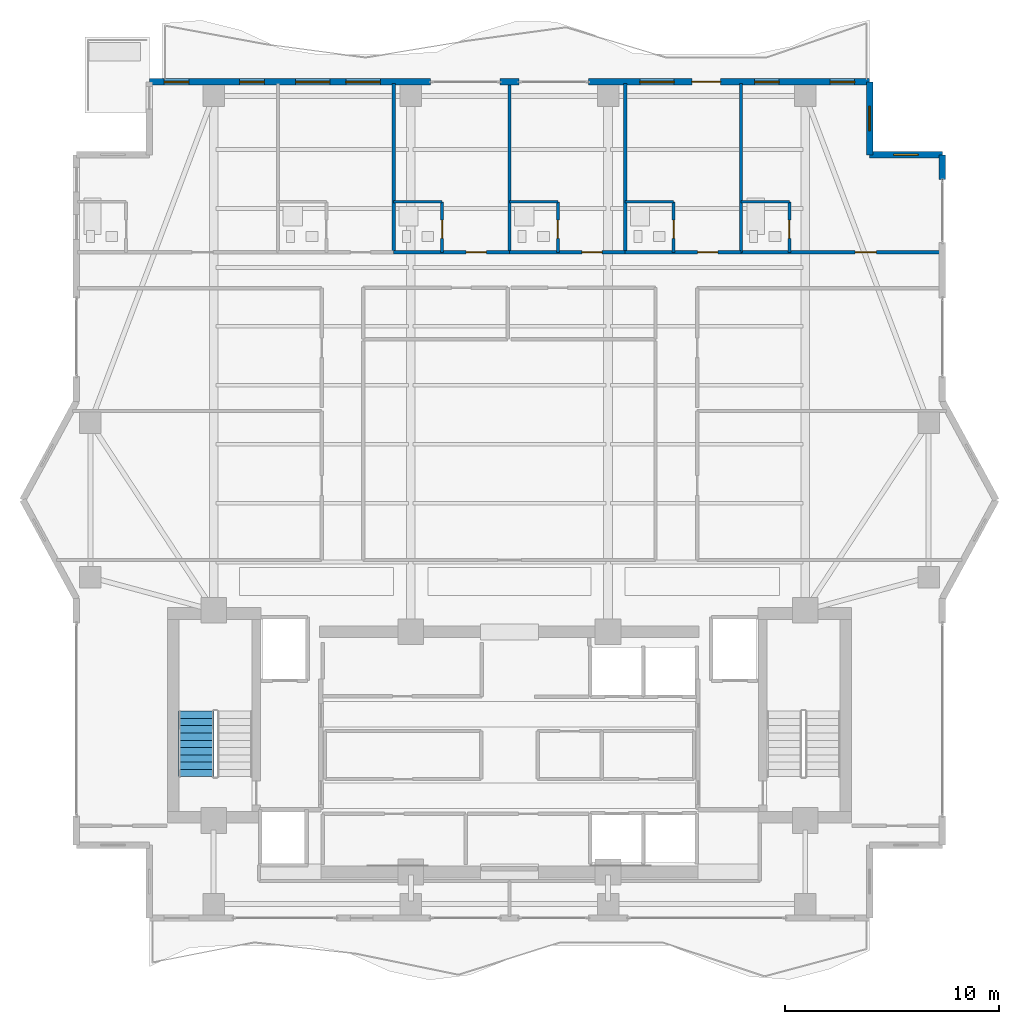
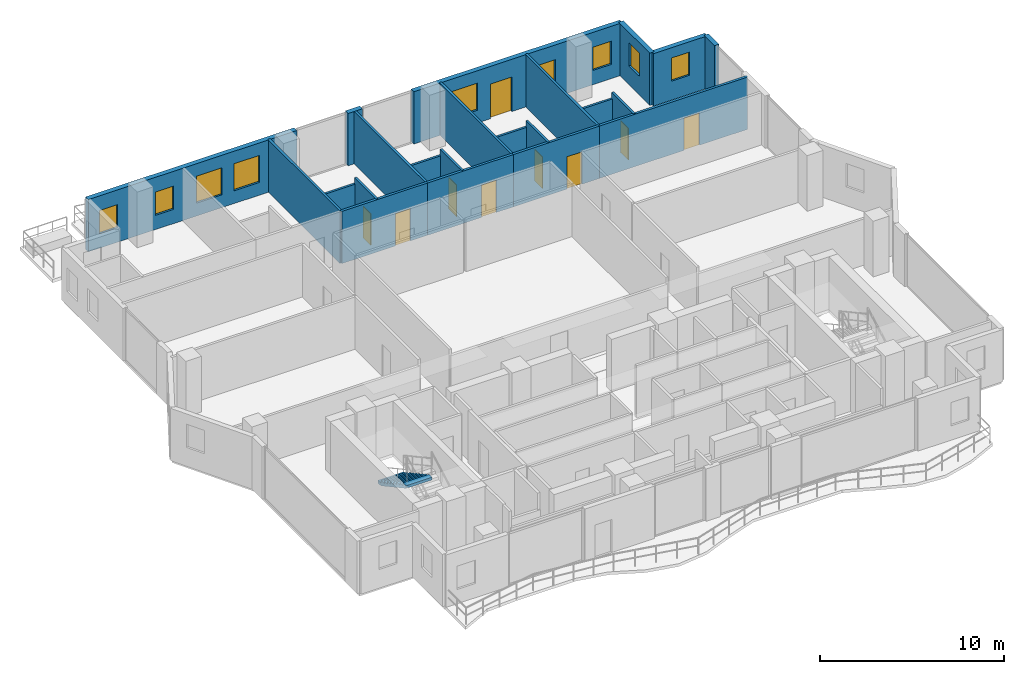
# One storey, part 20 of 24: 22 walls, 9 doors, 9 windows, 1 stair flight, 18 openings, 1 element without a shape of its own.
"""IFC4 building model written with IfcOpenShell, lengths in metres."""

from ifc_helpers import new_model, si_unit, direction, frame, frame_2d, origin, place, context, subcontext, project, spatial, polyline, rectangle, outline, extrude, material, layer, layer_set, type_object, element, fill, aggregate, save


model = new_model("IFC4")

# Units and contexts
model_context = context("Model", 3, precision=1e-05, world=origin(), true_north=direction((0.0, 1.0)))
body_context = subcontext(model_context, "Body", "Model", "MODEL_VIEW")
ifc_project = project(units=[si_unit("LENGTHUNIT", "METRE"), si_unit("AREAUNIT", "SQUARE_METRE"), si_unit("VOLUMEUNIT", "CUBIC_METRE"), si_unit("PLANEANGLEUNIT", "RADIAN"), si_unit("MASSUNIT", "GRAM", prefix="KILO")], contexts=[model_context])

# Site, building, storey
site_placement = place(None, origin())
site = spatial("IfcSite", under=ifc_project, at=site_placement, CompositionType="ELEMENT")
building_placement = place(site_placement, origin())
building = spatial("IfcBuilding", under=site, at=building_placement, Name="Zuhayl Quay Hotel", CompositionType="ELEMENT")
storey_placement = place(building_placement, frame((0.0, 0.0, 276.64990234375)))
storey = spatial("IfcBuildingStorey", under=building, at=storey_placement, Name="L70", CompositionType="ELEMENT", Elevation=276.64990234375)

# Wall, openings, windows
ifc_material_1 = material(Name="Precast concrete C45/55", Category="concrete")
ifc_layer_1 = layer(ifc_material_1, 0.300048828125, Name="Precast concrete C45/55", Category="concrete")
ifc_layer_set_1 = layer_set([ifc_layer_1], Name="Precast concrete C45/55")
wall_type_1 = type_object("IfcWallType", Name="WL_EXT_300", PredefinedType="STANDARD", material=ifc_layer_set_1)
wall_1_placement = place(storey_placement, frame((-16.800048828125, 39.0, 0.0), z_axis=(0.0, 0.0, 1.0), x_axis=(1.0, 0.0, 0.0)))
wall_1 = element("IfcWall", 1, at=wall_1_placement, inside=storey, type_object=wall_type_1, Name="L70 Exterior Precast Wall ENV_L70_N_EW1", PredefinedType="STANDARD", context=body_context, shape_type="SweptSolid", body=[
    extrude(rectangle(XDim=13.1201171875, YDim=0.300048828125, at=frame_2d((6.56005859375, 0.0))), origin(), (0.0, 0.0, 1.0), 3.47998046875),
])
opening_1_placement = place(wall_1_placement, frame((6.820068359375, 0.0, 0.85009765625)))
opening_1 = element("IfcOpeningElement", 2, at=opening_1_placement, cuts=wall_1, Name="Opening W01", PredefinedType="OPENING", context=body_context, shape_type="SweptSolid", body=[
    extrude(rectangle(XDim=1.60009765625, YDim=1.800048828125, at=frame_2d((0.800048828125, 0.89990234375))), frame((0.0, 0.159912109375, 0.0), z_axis=(0.0, -1.0, 0.0), x_axis=(1.0, 0.0, 0.0)), (0.0, 0.0, 1.0), 0.320068359375),
])
opening_2_placement = place(wall_1_placement, frame((0.695068359375, 0.0, 0.949951171875)))
opening_2 = element("IfcOpeningElement", 3, at=opening_2_placement, cuts=wall_1, Name="Opening W01N", PredefinedType="OPENING", context=body_context, shape_type="SweptSolid", body=[
    extrude(rectangle(XDim=1.14990234375, YDim=1.550048828125, at=frame_2d((0.574951171875, 0.77490234375))), frame((0.0, 0.159912109375, 0.0), z_axis=(0.0, -1.0, 0.0), x_axis=(1.0, 0.0, 0.0)), (0.0, 0.0, 1.0), 0.320068359375),
])
opening_3_placement = place(wall_1_placement, frame((4.215087890625, 0.0, 0.949951171875)))
opening_3 = element("IfcOpeningElement", 4, at=opening_3_placement, cuts=wall_1, Name="Opening W01N", PredefinedType="OPENING", context=body_context, shape_type="SweptSolid", body=[
    extrude(rectangle(XDim=1.14990234375, YDim=1.550048828125, at=frame_2d((0.574951171875, 0.77490234375))), frame((0.0, 0.159912109375, 0.0), z_axis=(0.0, -1.0, 0.0), x_axis=(1.0, 0.0, 0.0)), (0.0, 0.0, 1.0), 0.320068359375),
])
opening_4_placement = place(wall_1_placement, frame((9.175048828125, 0.0, 0.85009765625)))
opening_4 = element("IfcOpeningElement", 5, at=opening_4_placement, cuts=wall_1, Name="Opening W01", PredefinedType="OPENING", context=body_context, shape_type="SweptSolid", body=[
    extrude(rectangle(XDim=1.60009765625, YDim=1.800048828125, at=frame_2d((0.800048828125, 0.89990234375))), frame((0.0, 0.159912109375, 0.0), z_axis=(0.0, -1.0, 0.0), x_axis=(1.0, 0.0, 0.0)), (0.0, 0.0, 1.0), 0.320068359375),
])
ifc_material_2 = material(Name="Dark Ceramic-Fritted Solar Glass", Category="glass")
window_type_1 = type_object("IfcWindowType", Name="WN_NOTCH_1350", PartitioningType="SINGLE_PANEL", PredefinedType="WINDOW", material=ifc_material_2)
window_1_placement = place(opening_2_placement, origin())
window_1 = element("IfcWindow", 6, at=window_1_placement, inside=storey, type_object=window_type_1, Name="L70 Operable Facade Window 1-1", OverallHeight=1.550048828125, OverallWidth=1.14990234375, PartitioningType="SINGLE_PANEL", PredefinedType="WINDOW", context=body_context, shape_type="SweptSolid", body=[
    extrude(rectangle(XDim=1.14990234375, YDim=1.550048828125, at=frame_2d((0.574951171875, 0.77490234375))), frame((0.0, 0.030029296875, 0.0), z_axis=(0.0, -1.0, 0.0), x_axis=(1.0, 0.0, 0.0)), (0.0, 0.0, 1.0), 0.06005859375),
])
fill(opening_2, window_1)
window_2_placement = place(opening_3_placement, origin())
window_2 = element("IfcWindow", 7, at=window_2_placement, inside=storey, type_object=window_type_1, Name="L70 Operable Facade Window 1-2", OverallHeight=1.550048828125, OverallWidth=1.14990234375, PartitioningType="SINGLE_PANEL", PredefinedType="WINDOW", context=body_context, shape_type="SweptSolid", body=[
    extrude(rectangle(XDim=1.14990234375, YDim=1.550048828125, at=frame_2d((0.574951171875, 0.77490234375))), frame((0.0, 0.030029296875, 0.0), z_axis=(0.0, -1.0, 0.0), x_axis=(1.0, 0.0, 0.0)), (0.0, 0.0, 1.0), 0.06005859375),
])
fill(opening_3, window_2)
window_type_2 = type_object("IfcWindowType", Name="WN_OPERABLE_1600", PartitioningType="DOUBLE_PANEL_VERTICAL", PredefinedType="WINDOW", material=ifc_material_2)
window_3_placement = place(opening_1_placement, origin())
window_3 = element("IfcWindow", 8, at=window_3_placement, inside=storey, type_object=window_type_2, Name="L70 North Operable Casement Window", OverallHeight=1.800048828125, OverallWidth=1.60009765625, PartitioningType="SINGLE_PANEL", PredefinedType="WINDOW", context=body_context, shape_type="SweptSolid", body=[
    extrude(rectangle(XDim=1.60009765625, YDim=1.800048828125, at=frame_2d((0.800048828125, 0.89990234375))), frame((0.0, 0.030029296875, 0.0), z_axis=(0.0, -1.0, 0.0), x_axis=(1.0, 0.0, 0.0)), (0.0, 0.0, 1.0), 0.06005859375),
])
fill(opening_1, window_3)
window_4_placement = place(opening_4_placement, origin())
window_4 = element("IfcWindow", 9, at=window_4_placement, inside=storey, type_object=window_type_2, Name="L70 Operable Facade Window 1-3", OverallHeight=1.800048828125, OverallWidth=1.60009765625, PartitioningType="SINGLE_PANEL", PredefinedType="WINDOW", context=body_context, shape_type="SweptSolid", body=[
    extrude(rectangle(XDim=1.60009765625, YDim=1.800048828125, at=frame_2d((0.800048828125, 0.89990234375))), frame((0.0, 0.030029296875, 0.0), z_axis=(0.0, -1.0, 0.0), x_axis=(1.0, 0.0, 0.0)), (0.0, 0.0, 1.0), 0.06005859375),
])
fill(opening_4, window_4)

# Wall
wall_2_placement = place(storey_placement, frame((-0.449951171875, 39.0, 0.0), z_axis=(0.0, 0.0, 1.0), x_axis=(1.0, 0.0, 0.0)))
element("IfcWall", 10, at=wall_2_placement, inside=storey, type_object=wall_type_1, Name="L70 Exterior Precast Wall ENV_L70_N_EW2", PredefinedType="STANDARD", context=body_context, shape_type="SweptSolid", body=[
    extrude(rectangle(XDim=0.89990234375, YDim=0.300048828125, at=frame_2d((0.449951171875, 0.0))), origin(), (0.0, 0.0, 1.0), 3.47998046875),
])

# Wall, openings, door, windows
wall_3_placement = place(storey_placement, frame((3.679931640625, 39.0, 0.0), z_axis=(0.0, 0.0, 1.0), x_axis=(1.0, 0.0, 0.0)))
wall_3 = element("IfcWall", 11, at=wall_3_placement, inside=storey, type_object=wall_type_1, Name="L70 Exterior Precast Wall ENV_L70_N_EW3", PredefinedType="STANDARD", context=body_context, shape_type="SweptSolid", body=[
    extrude(rectangle(XDim=13.1201171875, YDim=0.300048828125, at=frame_2d((6.56005859375, 0.0))), origin(), (0.0, 0.0, 1.0), 3.47998046875),
])
opening_5_placement = place(wall_3_placement, frame((4.824951171875, 0.0, 0.0)))
opening_5 = element("IfcOpeningElement", 12, at=opening_5_placement, cuts=wall_3, Name="Opening DG2", PredefinedType="OPENING", context=body_context, shape_type="SweptSolid", body=[
    extrude(rectangle(XDim=1.35009765625, YDim=2.300048828125, at=frame_2d((0.675048828125, 1.14990234375))), frame((0.0, 0.159912109375, 0.0), z_axis=(0.0, -1.0, 0.0), x_axis=(1.0, 0.0, 0.0)), (0.0, 0.0, 1.0), 0.320068359375),
])
opening_6_placement = place(wall_3_placement, frame((2.407470703125, 0.0, 0.85009765625)))
opening_6 = element("IfcOpeningElement", 13, at=opening_6_placement, cuts=wall_3, Name="Opening W01", PredefinedType="OPENING", context=body_context, shape_type="SweptSolid", body=[
    extrude(rectangle(XDim=1.60009765625, YDim=1.800048828125, at=frame_2d((0.800048828125, 0.89990234375))), frame((0.0, 0.159912109375, 0.0), z_axis=(0.0, -1.0, 0.0), x_axis=(1.0, 0.0, 0.0)), (0.0, 0.0, 1.0), 0.320068359375),
])
opening_7_placement = place(wall_3_placement, frame((7.7548828125, 0.0, 0.949951171875)))
opening_7 = element("IfcOpeningElement", 14, at=opening_7_placement, cuts=wall_3, Name="Opening W01N", PredefinedType="OPENING", context=body_context, shape_type="SweptSolid", body=[
    extrude(rectangle(XDim=1.14990234375, YDim=1.550048828125, at=frame_2d((0.574951171875, 0.77490234375))), frame((0.0, 0.159912109375, 0.0), z_axis=(0.0, -1.0, 0.0), x_axis=(1.0, 0.0, 0.0)), (0.0, 0.0, 1.0), 0.320068359375),
])
opening_8_placement = place(wall_3_placement, frame((11.27490234375, 0.0, 0.949951171875)))
opening_8 = element("IfcOpeningElement", 15, at=opening_8_placement, cuts=wall_3, Name="Opening W01N", PredefinedType="OPENING", context=body_context, shape_type="SweptSolid", body=[
    extrude(rectangle(XDim=1.14990234375, YDim=1.550048828125, at=frame_2d((0.574951171875, 0.77490234375))), frame((0.0, 0.159912109375, 0.0), z_axis=(0.0, -1.0, 0.0), x_axis=(1.0, 0.0, 0.0)), (0.0, 0.0, 1.0), 0.320068359375),
])
ifc_material_3 = material(Name="Anodised Aluminium and Dark Solar Glass", Category="aluminium")
door_type_1 = type_object("IfcDoorType", Name="DR_EXT_TERR_1350", OperationType="NOTDEFINED", PredefinedType="DOOR", material=ifc_material_3)
door_1_placement = place(opening_5_placement, origin())
door_1 = element("IfcDoor", 16, at=door_1_placement, inside=storey, type_object=door_type_1, Name="L70 North Rippling Balcony Door", OperationType="SINGLE_SWING_LEFT", OverallHeight=2.300048828125, OverallWidth=1.35009765625, PredefinedType="DOOR", context=body_context, shape_type="SweptSolid", body=[
    extrude(rectangle(XDim=1.35009765625, YDim=2.300048828125, at=frame_2d((0.675048828125, 1.14990234375))), frame((0.0, 0.02490234375, 0.0), z_axis=(0.0, -1.0, 0.0), x_axis=(1.0, 0.0, 0.0)), (0.0, 0.0, 1.0), 0.050048828125),
])
fill(opening_5, door_1)
window_5_placement = place(opening_7_placement, origin())
window_5 = element("IfcWindow", 17, at=window_5_placement, inside=storey, type_object=window_type_1, Name="L70 Operable Facade Window 3-2", OverallHeight=1.550048828125, OverallWidth=1.14990234375, PartitioningType="SINGLE_PANEL", PredefinedType="WINDOW", context=body_context, shape_type="SweptSolid", body=[
    extrude(rectangle(XDim=1.14990234375, YDim=1.550048828125, at=frame_2d((0.574951171875, 0.77490234375))), frame((0.0, 0.030029296875, 0.0), z_axis=(0.0, -1.0, 0.0), x_axis=(1.0, 0.0, 0.0)), (0.0, 0.0, 1.0), 0.06005859375),
])
fill(opening_7, window_5)
window_6_placement = place(opening_8_placement, origin())
window_6 = element("IfcWindow", 18, at=window_6_placement, inside=storey, type_object=window_type_1, Name="L70 Operable Facade Window 3-3", OverallHeight=1.550048828125, OverallWidth=1.14990234375, PartitioningType="SINGLE_PANEL", PredefinedType="WINDOW", context=body_context, shape_type="SweptSolid", body=[
    extrude(rectangle(XDim=1.14990234375, YDim=1.550048828125, at=frame_2d((0.574951171875, 0.77490234375))), frame((0.0, 0.030029296875, 0.0), z_axis=(0.0, -1.0, 0.0), x_axis=(1.0, 0.0, 0.0)), (0.0, 0.0, 1.0), 0.06005859375),
])
fill(opening_8, window_6)
window_7_placement = place(opening_6_placement, origin())
window_7 = element("IfcWindow", 19, at=window_7_placement, inside=storey, type_object=window_type_2, Name="L70 Operable Facade Window 3-1", OverallHeight=1.800048828125, OverallWidth=1.60009765625, PartitioningType="SINGLE_PANEL", PredefinedType="WINDOW", context=body_context, shape_type="SweptSolid", body=[
    extrude(rectangle(XDim=1.60009765625, YDim=1.800048828125, at=frame_2d((0.800048828125, 0.89990234375))), frame((0.0, 0.030029296875, 0.0), z_axis=(0.0, -1.0, 0.0), x_axis=(1.0, 0.0, 0.0)), (0.0, 0.0, 1.0), 0.06005859375),
])
fill(opening_6, window_7)

# Wall, opening, window
wall_4_placement = place(storey_placement, frame((16.800048828125, 39.0, 0.0), z_axis=(0.0, 0.0, 1.0), x_axis=(0.0, -1.0, 0.0)))
wall_4 = element("IfcWall", 20, at=wall_4_placement, inside=storey, type_object=wall_type_1, Name="L70 Exterior Precast Wall ENV_L70_EW09", PredefinedType="STANDARD", context=body_context, shape_type="SweptSolid", body=[
    extrude(rectangle(XDim=3.39990234375, YDim=0.300048828125, at=frame_2d((1.699951171875, 0.0))), origin(), (0.0, 0.0, 1.0), 3.47998046875),
])
opening_9_placement = place(wall_4_placement, frame((1.125, 0.0, 1.25)))
opening_9 = element("IfcOpeningElement", 21, at=opening_9_placement, cuts=wall_4, Name="Opening W01N", PredefinedType="OPENING", context=body_context, shape_type="SweptSolid", body=[
    extrude(rectangle(XDim=1.14990234375, YDim=1.550048828125, at=frame_2d((0.574951171875, 0.77490234375))), frame((0.0, 0.159912109375, 0.0), z_axis=(0.0, -1.0, 0.0), x_axis=(1.0, 0.0, 0.0)), (0.0, 0.0, 1.0), 0.320068359375),
])
window_8_placement = place(opening_9_placement, origin())
window_8 = element("IfcWindow", 22, at=window_8_placement, inside=storey, type_object=window_type_1, Name="L70 Corner Notch Window 9", OverallHeight=1.550048828125, OverallWidth=1.14990234375, PartitioningType="SINGLE_PANEL", PredefinedType="WINDOW", context=body_context, shape_type="SweptSolid", body=[
    extrude(rectangle(XDim=1.14990234375, YDim=1.550048828125, at=frame_2d((0.574951171875, 0.77490234375))), frame((0.0, 0.030029296875, 0.0), z_axis=(0.0, -1.0, 0.0), x_axis=(1.0, 0.0, 0.0)), (0.0, 0.0, 1.0), 0.06005859375),
])
fill(opening_9, window_8)

wall_5_placement = place(storey_placement, frame((16.800048828125, 35.60009765625, 0.0), z_axis=(0.0, 0.0, 1.0), x_axis=(1.0, 0.0, 0.0)))
wall_5 = element("IfcWall", 23, at=wall_5_placement, inside=storey, type_object=wall_type_1, Name="L70 Exterior Precast Wall ENV_L70_EW10", PredefinedType="STANDARD", context=body_context, shape_type="SweptSolid", body=[
    extrude(rectangle(XDim=3.39990234375, YDim=0.300048828125, at=frame_2d((1.699951171875, 0.0))), origin(), (0.0, 0.0, 1.0), 3.47998046875),
])
opening_10_placement = place(wall_5_placement, frame((1.125, 0.0, 1.25)))
opening_10 = element("IfcOpeningElement", 24, at=opening_10_placement, cuts=wall_5, Name="Opening W01N", PredefinedType="OPENING", context=body_context, shape_type="SweptSolid", body=[
    extrude(rectangle(XDim=1.14990234375, YDim=1.550048828125, at=frame_2d((0.574951171875, 0.77490234375))), frame((0.0, 0.159912109375, 0.0), z_axis=(0.0, -1.0, 0.0), x_axis=(1.0, 0.0, 0.0)), (0.0, 0.0, 1.0), 0.320068359375),
])
window_9_placement = place(opening_10_placement, origin())
window_9 = element("IfcWindow", 25, at=window_9_placement, inside=storey, type_object=window_type_1, Name="L70 Corner Notch Window 10", OverallHeight=1.550048828125, OverallWidth=1.14990234375, PartitioningType="SINGLE_PANEL", PredefinedType="WINDOW", context=body_context, shape_type="SweptSolid", body=[
    extrude(rectangle(XDim=1.14990234375, YDim=1.550048828125, at=frame_2d((0.574951171875, 0.77490234375))), frame((0.0, 0.030029296875, 0.0), z_axis=(0.0, -1.0, 0.0), x_axis=(1.0, 0.0, 0.0)), (0.0, 0.0, 1.0), 0.06005859375),
])
fill(opening_10, window_9)

# Walls
wall_6_placement = place(storey_placement, frame((20.199951171875, 35.60009765625, 0.0), z_axis=(0.0, 0.0, 1.0), x_axis=(0.0, -1.0, 0.0)))
element("IfcWall", 26, at=wall_6_placement, inside=storey, type_object=wall_type_1, Name="L70 Exterior Precast Wall ENV_L70_E11_EW1", PredefinedType="STANDARD", context=body_context, shape_type="SweptSolid", body=[
    extrude(rectangle(XDim=1.150146484375, YDim=0.300048828125, at=frame_2d((0.5751953125, 0.0))), origin(), (0.0, 0.0, 1.0), 3.47998046875),
])
ifc_material_4 = material(Name="Acoustic Gypsum Partition STC-58")
ifc_layer_2 = layer(ifc_material_4, 0.14990234375, Name="Acoustic Gypsum Partition STC-58")
ifc_layer_set_2 = layer_set([ifc_layer_2], Name="Acoustic Gypsum Partition STC-58")
wall_type_2 = type_object("IfcWallType", Name="WL_PART_150", PredefinedType="PARTITIONING", material=ifc_layer_set_2)
for number, where, z_axis, x_axis, name in (
    (27, (-5.39990234375, 31.050048828125, 0.0), (0.0, 0.0, 1.0), (0.0, 1.0, 0.0), "L70 Partition IW_L70_NU02_E"),
    (28, (0.0, 31.050048828125, 0.0), (0.0, 0.0, 1.0), (0.0, 1.0, 0.0), "L70 Partition IW_L70_NU03_E"),
    (29, (5.39990234375, 31.050048828125, 0.0), (0.0, 0.0, 1.0), (0.0, 1.0, 0.0), "L70 Partition IW_L70_NU04_E"),
    (30, (10.800048828125, 31.050048828125, 0.0), (0.0, 0.0, 1.0), (0.0, 1.0, 0.0), "L70 Partition IW_L70_NU05_E"),
):
    element("IfcWall", number, at=place(storey_placement, frame(where, z_axis=z_axis, x_axis=x_axis)), inside=storey, type_object=wall_type_2, Name=name, PredefinedType="PARTITIONING", context=body_context, shape_type="SweptSolid", body=[
        extrude(rectangle(XDim=7.869873046875, YDim=0.14990234375, at=frame_2d((3.93505859375, 0.0))), origin(), (0.0, 0.0, 1.0), 3.47998046875),
    ])

# Wall, opening, door
ifc_layer_3 = layer(ifc_material_4, 0.159912109375, Name="Acoustic Gypsum Partition STC-58")
ifc_layer_set_3 = layer_set([ifc_layer_3], Name="Acoustic Gypsum Partition STC-58")
wall_type_3 = type_object("IfcWallType", Name="WL_PART_CORR_160", PredefinedType="PARTITIONING", material=ifc_layer_set_3)
wall_7_placement = place(storey_placement, frame((-5.39990234375, 31.050048828125, 0.0), z_axis=(0.0, 0.0, 1.0), x_axis=(1.0, 0.0, 0.0)))
wall_7 = element("IfcWall", 31, at=wall_7_placement, inside=storey, type_object=wall_type_3, Name="L70 Partition IW_L70_NU03_COR", PredefinedType="PARTITIONING", context=body_context, shape_type="SweptSolid", body=[
    extrude(rectangle(XDim=5.39990234375, YDim=0.159912109375, at=frame_2d((2.699951171875, 0.0))), origin(), (0.0, 0.0, 1.0), 3.47998046875),
])
opening_11_placement = place(wall_7_placement, frame((3.375, 0.0, 0.0)))
opening_11 = element("IfcOpeningElement", 32, at=opening_11_placement, cuts=wall_7, Name="Opening D03", PredefinedType="OPENING", context=body_context, shape_type="SweptSolid", body=[
    extrude(rectangle(XDim=0.949951171875, YDim=2.14990234375, at=frame_2d((0.47509765625, 1.074951171875))), frame((0.0, 0.08984375, 0.0), z_axis=(0.0, -1.0, 0.0), x_axis=(1.0, 0.0, 0.0)), (0.0, 0.0, 1.0), 0.179931640625),
])
ifc_material_5 = material(Name="Solid Walnut Acoustic Fire Door")
door_type_2 = type_object("IfcDoorType", Name="DR_SUITE_950", OperationType="NOTDEFINED", PredefinedType="DOOR", material=ifc_material_5)
door_2_placement = place(opening_11_placement, origin())
door_2 = element("IfcDoor", 33, at=door_2_placement, inside=storey, type_object=door_type_2, Name="L70 Imperial Gulf Guest Room L70-03 Entrance Door", OperationType="SINGLE_SWING_RIGHT", OverallHeight=2.14990234375, OverallWidth=0.949951171875, PredefinedType="DOOR", context=body_context, shape_type="SweptSolid", body=[
    extrude(rectangle(XDim=0.949951171875, YDim=2.14990234375, at=frame_2d((0.47509765625, 1.074951171875))), frame((0.0, 0.02490234375, 0.0), z_axis=(0.0, -1.0, 0.0), x_axis=(1.0, 0.0, 0.0)), (0.0, 0.0, 1.0), 0.050048828125),
])
fill(opening_11, door_2)

wall_8_placement = place(storey_placement, frame((0.0, 31.050048828125, 0.0), z_axis=(0.0, 0.0, 1.0), x_axis=(1.0, 0.0, 0.0)))
wall_8 = element("IfcWall", 34, at=wall_8_placement, inside=storey, type_object=wall_type_3, Name="L70 Partition IW_L70_NU04_COR", PredefinedType="PARTITIONING", context=body_context, shape_type="SweptSolid", body=[
    extrude(rectangle(XDim=5.39990234375, YDim=0.159912109375, at=frame_2d((2.699951171875, 0.0))), origin(), (0.0, 0.0, 1.0), 3.47998046875),
])
opening_12_placement = place(wall_8_placement, frame((3.375, 0.0, 0.0)))
opening_12 = element("IfcOpeningElement", 35, at=opening_12_placement, cuts=wall_8, Name="Opening D03", PredefinedType="OPENING", context=body_context, shape_type="SweptSolid", body=[
    extrude(rectangle(XDim=0.949951171875, YDim=2.14990234375, at=frame_2d((0.47509765625, 1.074951171875))), frame((0.0, 0.08984375, 0.0), z_axis=(0.0, -1.0, 0.0), x_axis=(1.0, 0.0, 0.0)), (0.0, 0.0, 1.0), 0.179931640625),
])
door_3_placement = place(opening_12_placement, origin())
door_3 = element("IfcDoor", 36, at=door_3_placement, inside=storey, type_object=door_type_2, Name="L70 Imperial Gulf Guest Room L70-04 Entrance Door", OperationType="SINGLE_SWING_RIGHT", OverallHeight=2.14990234375, OverallWidth=0.949951171875, PredefinedType="DOOR", context=body_context, shape_type="SweptSolid", body=[
    extrude(rectangle(XDim=0.949951171875, YDim=2.14990234375, at=frame_2d((0.47509765625, 1.074951171875))), frame((0.0, 0.02490234375, 0.0), z_axis=(0.0, -1.0, 0.0), x_axis=(1.0, 0.0, 0.0)), (0.0, 0.0, 1.0), 0.050048828125),
])
fill(opening_12, door_3)

wall_9_placement = place(storey_placement, frame((5.39990234375, 31.050048828125, 0.0), z_axis=(0.0, 0.0, 1.0), x_axis=(1.0, 0.0, 0.0)))
wall_9 = element("IfcWall", 37, at=wall_9_placement, inside=storey, type_object=wall_type_3, Name="L70 Partition IW_L70_NU05_COR", PredefinedType="PARTITIONING", context=body_context, shape_type="SweptSolid", body=[
    extrude(rectangle(XDim=5.400146484375, YDim=0.159912109375, at=frame_2d((2.7001953125, 0.0))), origin(), (0.0, 0.0, 1.0), 3.47998046875),
])
opening_13_placement = place(wall_9_placement, frame((3.375, 0.0, 0.0)))
opening_13 = element("IfcOpeningElement", 38, at=opening_13_placement, cuts=wall_9, Name="Opening D03", PredefinedType="OPENING", context=body_context, shape_type="SweptSolid", body=[
    extrude(rectangle(XDim=0.949951171875, YDim=2.14990234375, at=frame_2d((0.47509765625, 1.074951171875))), frame((0.0, 0.08984375, 0.0), z_axis=(0.0, -1.0, 0.0), x_axis=(1.0, 0.0, 0.0)), (0.0, 0.0, 1.0), 0.179931640625),
])
door_4_placement = place(opening_13_placement, origin())
door_4 = element("IfcDoor", 39, at=door_4_placement, inside=storey, type_object=door_type_2, Name="L70 Imperial Gulf Guest Room L70-05 Entrance Door", OperationType="SINGLE_SWING_RIGHT", OverallHeight=2.14990234375, OverallWidth=0.949951171875, PredefinedType="DOOR", context=body_context, shape_type="SweptSolid", body=[
    extrude(rectangle(XDim=0.949951171875, YDim=2.14990234375, at=frame_2d((0.47509765625, 1.074951171875))), frame((0.0, 0.02490234375, 0.0), z_axis=(0.0, -1.0, 0.0), x_axis=(1.0, 0.0, 0.0)), (0.0, 0.0, 1.0), 0.050048828125),
])
fill(opening_13, door_4)

wall_10_placement = place(storey_placement, frame((10.800048828125, 31.050048828125, 0.0), z_axis=(0.0, 0.0, 1.0), x_axis=(1.0, 0.0, 0.0)))
wall_10 = element("IfcWall", 40, at=wall_10_placement, inside=storey, type_object=wall_type_3, Name="L70 Partition IW_L70_NU06_COR", PredefinedType="PARTITIONING", context=body_context, shape_type="SweptSolid", body=[
    extrude(rectangle(XDim=9.33984375, YDim=0.159912109375, at=frame_2d((4.669921875, 0.0))), origin(), (0.0, 0.0, 1.0), 3.47998046875),
])
opening_14_placement = place(wall_10_placement, frame((5.320068359375, 0.0, 0.0)))
opening_14 = element("IfcOpeningElement", 41, at=opening_14_placement, cuts=wall_10, Name="Opening D03L", PredefinedType="OPENING", context=body_context, shape_type="SweptSolid", body=[
    extrude(rectangle(XDim=1.0, YDim=2.14990234375, at=frame_2d((0.5, 1.074951171875))), frame((0.0, 0.08984375, 0.0), z_axis=(0.0, -1.0, 0.0), x_axis=(1.0, 0.0, 0.0)), (0.0, 0.0, 1.0), 0.179931640625),
])
door_type_3 = type_object("IfcDoorType", Name="DR_SUITE_1000", OperationType="NOTDEFINED", PredefinedType="DOOR", material=ifc_material_5)
door_5_placement = place(opening_14_placement, origin())
door_5 = element("IfcDoor", 42, at=door_5_placement, inside=storey, type_object=door_type_3, Name="L70 Imperial Gulf Guest Room L70-06 Entrance Door", OperationType="SINGLE_SWING_RIGHT", OverallHeight=2.14990234375, OverallWidth=1.0, PredefinedType="DOOR", context=body_context, shape_type="SweptSolid", body=[
    extrude(rectangle(XDim=1.0, YDim=2.14990234375, at=frame_2d((0.5, 1.074951171875))), frame((0.0, 0.02490234375, 0.0), z_axis=(0.0, -1.0, 0.0), x_axis=(1.0, 0.0, 0.0)), (0.0, 0.0, 1.0), 0.050048828125),
])
fill(opening_14, door_5)

ifc_material_6 = material(Name="Moisture-Resistant Sanitarychase Gypsum")
ifc_layer_4 = layer(ifc_material_6, 0.135009765625, Name="Moisture-Resistant Sanitarychase Gypsum")
ifc_layer_set_4 = layer_set([ifc_layer_4], Name="Moisture-Resistant Sanitarychase Gypsum")
wall_type_4 = type_object("IfcWallType", Name="WL_PART_PLUMB_150", PredefinedType="PLUMBINGWALL", material=ifc_layer_set_4)
wall_11_placement = place(storey_placement, frame((-3.139892578125, 31.050048828125, 0.0), z_axis=(0.0, 0.0, 1.0), x_axis=(0.0, 1.0, 0.0)))
wall_11 = element("IfcWall", 43, at=wall_11_placement, inside=storey, type_object=wall_type_4, Name="L70 Partition IW_L70_NU03_BE", PredefinedType="PLUMBINGWALL", context=body_context, shape_type="SweptSolid", body=[
    extrude(rectangle(XDim=2.35986328125, YDim=0.135009765625, at=frame_2d((1.179931640625, 0.0))), origin(), (0.0, 0.0, 1.0), 3.47998046875),
])
opening_15_placement = place(wall_11_placement, frame((0.64990234375, 0.0, 0.0)))
opening_15 = element("IfcOpeningElement", 44, at=opening_15_placement, cuts=wall_11, Name="Opening D04", PredefinedType="OPENING", context=body_context, shape_type="SweptSolid", body=[
    extrude(rectangle(XDim=0.85009765625, YDim=2.10009765625, at=frame_2d((0.425048828125, 1.050048828125))), frame((0.0, 0.077392578125, 0.0), z_axis=(0.0, -1.0, 0.0), x_axis=(1.0, 0.0, 0.0)), (0.0, 0.0, 1.0), 0.155029296875),
])
ifc_material_7 = material(Name="Moisture-Resistant Walnut Veneer")
door_type_4 = type_object("IfcDoorType", Name="DR_BATH_850", OperationType="NOTDEFINED", PredefinedType="DOOR", material=ifc_material_7)
door_6_placement = place(opening_15_placement, origin())
door_6 = element("IfcDoor", 45, at=door_6_placement, inside=storey, type_object=door_type_4, Name="L70 Imperial Gulf Guest Room L70-03 En-Suite Door", OperationType="SINGLE_SWING_LEFT", OverallHeight=2.10009765625, OverallWidth=0.85009765625, PredefinedType="DOOR", context=body_context, shape_type="SweptSolid", body=[
    extrude(rectangle(XDim=0.85009765625, YDim=2.10009765625, at=frame_2d((0.425048828125, 1.050048828125))), frame((0.0, 0.02490234375, 0.0), z_axis=(0.0, -1.0, 0.0), x_axis=(1.0, 0.0, 0.0)), (0.0, 0.0, 1.0), 0.050048828125),
])
fill(opening_15, door_6)

wall_12_placement = place(storey_placement, frame((2.260009765625, 31.050048828125, 0.0), z_axis=(0.0, 0.0, 1.0), x_axis=(0.0, 1.0, 0.0)))
wall_12 = element("IfcWall", 46, at=wall_12_placement, inside=storey, type_object=wall_type_4, Name="L70 Partition IW_L70_NU04_BE", PredefinedType="PLUMBINGWALL", context=body_context, shape_type="SweptSolid", body=[
    extrude(rectangle(XDim=2.35986328125, YDim=0.135009765625, at=frame_2d((1.179931640625, 0.0))), origin(), (0.0, 0.0, 1.0), 3.47998046875),
])
opening_16_placement = place(wall_12_placement, frame((0.64990234375, 0.0, 0.0)))
opening_16 = element("IfcOpeningElement", 47, at=opening_16_placement, cuts=wall_12, Name="Opening D04", PredefinedType="OPENING", context=body_context, shape_type="SweptSolid", body=[
    extrude(rectangle(XDim=0.85009765625, YDim=2.10009765625, at=frame_2d((0.425048828125, 1.050048828125))), frame((0.0, 0.077392578125, 0.0), z_axis=(0.0, -1.0, 0.0), x_axis=(1.0, 0.0, 0.0)), (0.0, 0.0, 1.0), 0.155029296875),
])
door_7_placement = place(opening_16_placement, origin())
door_7 = element("IfcDoor", 48, at=door_7_placement, inside=storey, type_object=door_type_4, Name="L70 Imperial Gulf Guest Room L70-04 En-Suite Door", OperationType="SINGLE_SWING_LEFT", OverallHeight=2.10009765625, OverallWidth=0.85009765625, PredefinedType="DOOR", context=body_context, shape_type="SweptSolid", body=[
    extrude(rectangle(XDim=0.85009765625, YDim=2.10009765625, at=frame_2d((0.425048828125, 1.050048828125))), frame((0.0, 0.02490234375, 0.0), z_axis=(0.0, -1.0, 0.0), x_axis=(1.0, 0.0, 0.0)), (0.0, 0.0, 1.0), 0.050048828125),
])
fill(opening_16, door_7)

wall_13_placement = place(storey_placement, frame((7.659912109375, 31.050048828125, 0.0), z_axis=(0.0, 0.0, 1.0), x_axis=(0.0, 1.0, 0.0)))
wall_13 = element("IfcWall", 49, at=wall_13_placement, inside=storey, type_object=wall_type_4, Name="L70 Partition IW_L70_NU05_BE", PredefinedType="PLUMBINGWALL", context=body_context, shape_type="SweptSolid", body=[
    extrude(rectangle(XDim=2.35986328125, YDim=0.135009765625, at=frame_2d((1.179931640625, 0.0))), origin(), (0.0, 0.0, 1.0), 3.47998046875),
])
opening_17_placement = place(wall_13_placement, frame((0.64990234375, 0.0, 0.0)))
opening_17 = element("IfcOpeningElement", 50, at=opening_17_placement, cuts=wall_13, Name="Opening D04", PredefinedType="OPENING", context=body_context, shape_type="SweptSolid", body=[
    extrude(rectangle(XDim=0.85009765625, YDim=2.10009765625, at=frame_2d((0.425048828125, 1.050048828125))), frame((0.0, 0.077392578125, 0.0), z_axis=(0.0, -1.0, 0.0), x_axis=(1.0, 0.0, 0.0)), (0.0, 0.0, 1.0), 0.155029296875),
])
door_8_placement = place(opening_17_placement, origin())
door_8 = element("IfcDoor", 51, at=door_8_placement, inside=storey, type_object=door_type_4, Name="L70 Imperial Gulf Guest Room L70-05 En-Suite Door", OperationType="SINGLE_SWING_LEFT", OverallHeight=2.10009765625, OverallWidth=0.85009765625, PredefinedType="DOOR", context=body_context, shape_type="SweptSolid", body=[
    extrude(rectangle(XDim=0.85009765625, YDim=2.10009765625, at=frame_2d((0.425048828125, 1.050048828125))), frame((0.0, 0.02490234375, 0.0), z_axis=(0.0, -1.0, 0.0), x_axis=(1.0, 0.0, 0.0)), (0.0, 0.0, 1.0), 0.050048828125),
])
fill(opening_17, door_8)

wall_14_placement = place(storey_placement, frame((13.06005859375, 31.050048828125, 0.0), z_axis=(0.0, 0.0, 1.0), x_axis=(0.0, 1.0, 0.0)))
wall_14 = element("IfcWall", 52, at=wall_14_placement, inside=storey, type_object=wall_type_4, Name="L70 Partition IW_L70_NU06_BE", PredefinedType="PLUMBINGWALL", context=body_context, shape_type="SweptSolid", body=[
    extrude(rectangle(XDim=2.35986328125, YDim=0.135009765625, at=frame_2d((1.179931640625, 0.0))), origin(), (0.0, 0.0, 1.0), 3.47998046875),
])
opening_18_placement = place(wall_14_placement, frame((0.64990234375, 0.0, 0.0)))
opening_18 = element("IfcOpeningElement", 53, at=opening_18_placement, cuts=wall_14, Name="Opening D04", PredefinedType="OPENING", context=body_context, shape_type="SweptSolid", body=[
    extrude(rectangle(XDim=0.85009765625, YDim=2.10009765625, at=frame_2d((0.425048828125, 1.050048828125))), frame((0.0, 0.077392578125, 0.0), z_axis=(0.0, -1.0, 0.0), x_axis=(1.0, 0.0, 0.0)), (0.0, 0.0, 1.0), 0.155029296875),
])
door_9_placement = place(opening_18_placement, origin())
door_9 = element("IfcDoor", 54, at=door_9_placement, inside=storey, type_object=door_type_4, Name="L70 Imperial Gulf Guest Room L70-06 En-Suite Door", OperationType="SINGLE_SWING_LEFT", OverallHeight=2.10009765625, OverallWidth=0.85009765625, PredefinedType="DOOR", context=body_context, shape_type="SweptSolid", body=[
    extrude(rectangle(XDim=0.85009765625, YDim=2.10009765625, at=frame_2d((0.425048828125, 1.050048828125))), frame((0.0, 0.02490234375, 0.0), z_axis=(0.0, -1.0, 0.0), x_axis=(1.0, 0.0, 0.0)), (0.0, 0.0, 1.0), 0.050048828125),
])
fill(opening_18, door_9)

# Walls
for number, where, z_axis, x_axis, name in (
    (55, (-5.39990234375, 33.409912109375, 0.0), (0.0, 0.0, 1.0), (1.0, 0.0, 0.0), "L70 Partition IW_L70_NU03_BN"),
    (56, (0.0, 33.409912109375, 0.0), (0.0, 0.0, 1.0), (1.0, 0.0, 0.0), "L70 Partition IW_L70_NU04_BN"),
    (57, (5.39990234375, 33.409912109375, 0.0), (0.0, 0.0, 1.0), (1.0, 0.0, 0.0), "L70 Partition IW_L70_NU05_BN"),
    (58, (10.800048828125, 33.409912109375, 0.0), (0.0, 0.0, 1.0), (1.0, 0.0, 0.0), "L70 Partition IW_L70_NU06_BN"),
):
    element("IfcWall", number, at=place(storey_placement, frame(where, z_axis=z_axis, x_axis=x_axis)), inside=storey, type_object=wall_type_4, Name=name, PredefinedType="PLUMBINGWALL", context=body_context, shape_type="SweptSolid", body=[
        extrude(rectangle(XDim=2.260009765625, YDim=0.135009765625, at=frame_2d((1.1298828125, 0.0))), origin(), (0.0, 0.0, 1.0), 3.076171875),
    ])

# Stair, stair flight
ifc_material_8 = material(Name="Concrete C45/55", Category="concrete")
stair_type = type_object("IfcStairType", Name="ST_DOGLEG_TOWER", PredefinedType="HALF_TURN_STAIR", material=ifc_material_8)
stair_placement = place(storey_placement, origin())
stair = element("IfcStair", 59, at=stair_placement, inside=storey, type_object=stair_type, Name="L70 Smokeproof Exit Stair ST1", PredefinedType="HALF_TURN_STAIR")
ifc_layer_5 = layer(ifc_material_8, 0.159912109375, Name="Concrete C45/55", Category="concrete")
ifc_layer_set_5 = layer_set([ifc_layer_5], Name="Concrete C45/55")
stair_flight_type = type_object("IfcStairFlightType", Name="SF_CONC_164", PredefinedType="STRAIGHT", material=ifc_layer_set_5)
stair_flight_placement = place(storey_placement, frame((-14.610107421875, 9.64990234375, 1.85009765625), z_axis=(0.0, 0.0, 1.0), x_axis=(0.0, -1.0, 0.0)))
stair_flight = element("IfcStairFlight", 60, at=stair_flight_placement, type_object=stair_flight_type, Name="ST1 flight 2", NumberOfRisers=10, NumberOfTreads=9, PredefinedType="STRAIGHT", RiserHeight=0.185, TreadLength=0.34, context=body_context, shape_type="SweptSolid", body=[
    extrude(outline(polyline([(0.0, 0.0), (0.0, 0.18505859375), (0.340087890625, 0.18505859375), (0.340087890625, 0.3701171875), (0.679931640625, 0.3701171875), (0.679931640625, 0.554931640625), (1.02001953125, 0.554931640625), (1.02001953125, 0.739990234375), (1.360107421875, 0.739990234375), (1.360107421875, 0.925048828125), (1.699951171875, 0.925048828125), (1.699951171875, 1.110107421875), (2.0400390625, 1.110107421875), (2.0400390625, 1.294921875), (2.3798828125, 1.294921875), (2.3798828125, 1.47998046875), (2.719970703125, 1.47998046875), (2.719970703125, 1.6650390625), (3.06005859375, 1.6650390625), (3.06005859375, 1.85009765625), (3.06005859375, 1.494384765625), (0.313720703125, 0.0), (0.0, 0.0)])), frame((0.0, 0.81982421875, 0.0), z_axis=(0.0, -1.0, 0.0), x_axis=(1.0, 0.0, 0.0)), (0.0, 0.0, 1.0), 1.639892578125),
])
aggregate(stair, [stair_flight])

save(model, "model.ifc")
